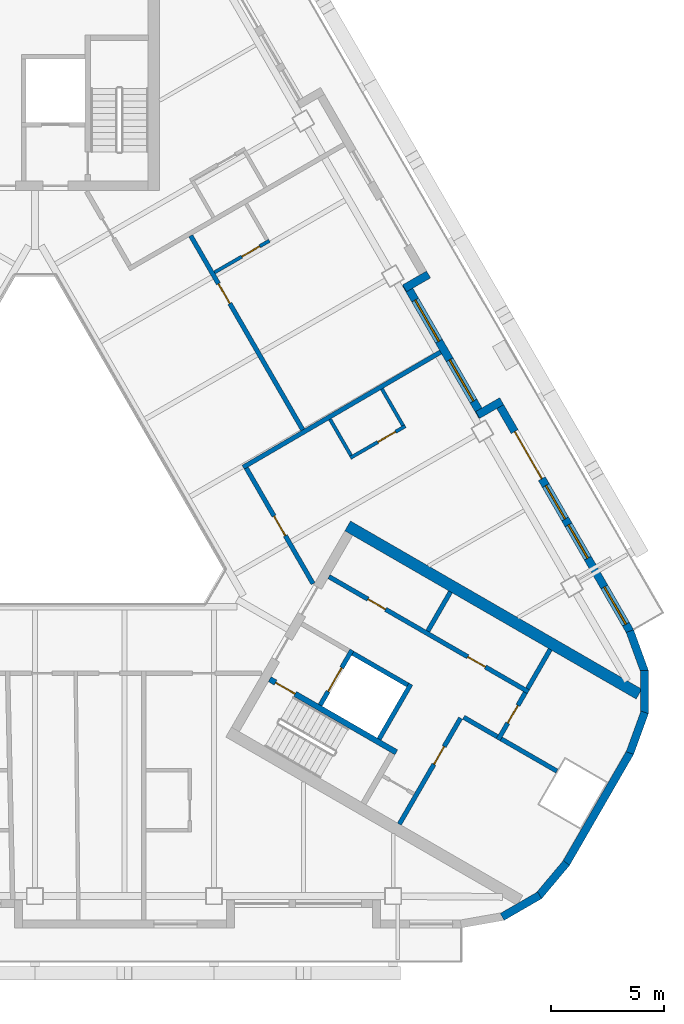
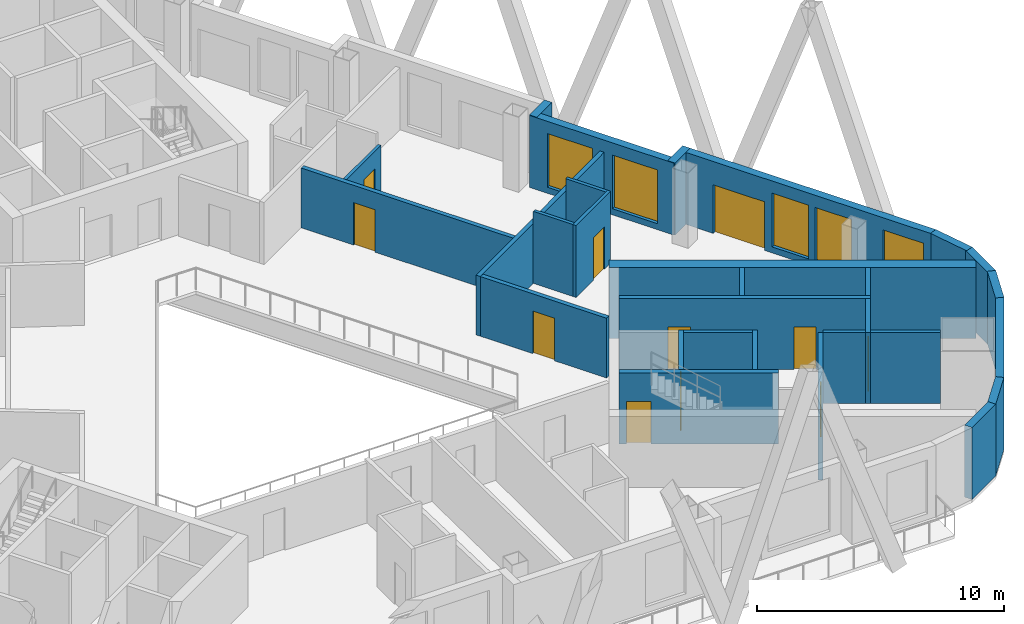
# One storey, part 5 of 13: 29 walls, 11 doors, 5 windows, 16 openings.
"""IFC4 building model written with IfcOpenShell, lengths in metres."""

from ifc_helpers import new_model, si_unit, direction, frame, frame_2d, origin, place, context, subcontext, project, spatial, rectangle, extrude, material, layer, layer_set, type_object, element, fill, save


model = new_model("IFC4")

# Units and contexts
model_context = context("Model", 3, precision=1e-05, world=origin(), true_north=direction((0.0, 1.0)))
body_context = subcontext(model_context, "Body", "Model", "MODEL_VIEW")
ifc_project = project(units=[si_unit("LENGTHUNIT", "METRE"), si_unit("AREAUNIT", "SQUARE_METRE"), si_unit("VOLUMEUNIT", "CUBIC_METRE"), si_unit("PLANEANGLEUNIT", "RADIAN"), si_unit("MASSUNIT", "GRAM", prefix="KILO")], contexts=[model_context])

# Site, building, storey
site_placement = place(None, origin())
site = spatial("IfcSite", under=ifc_project, at=site_placement, CompositionType="ELEMENT")
building_placement = place(site_placement, origin())
building = spatial("IfcBuilding", under=site, at=building_placement, Name="Apuvela Tower Hotel", CompositionType="ELEMENT")
storey_placement = place(building_placement, frame((0.0, 0.0, 191.0)))
storey = spatial("IfcBuildingStorey", under=building, at=storey_placement, Name="L46", CompositionType="ELEMENT", Elevation=191.0)

# Wall
ifc_material_1 = material(Name="Concrete C50/60", Category="concrete")
ifc_layer_1 = layer(ifc_material_1, 0.5)
ifc_layer_set_1 = layer_set([ifc_layer_1], Name="COR-WALL-CORE-500")
wall_type_1 = type_object("IfcWallType", Name="COR-WALL-CORE-500", PredefinedType="SHEAR", material=ifc_layer_set_1)
wall_1_placement = place(storey_placement, frame((13.796630859375, -1.9033203125, 0.0), z_axis=(0.0, 0.0, 1.0), x_axis=(0.866025009528, -0.500000682871, 0.0)))
element("IfcWall", 1, at=wall_1_placement, inside=storey, type_object=wall_type_1, Name="Core wall SE", PredefinedType="SHEAR", context=body_context, shape_type="SweptSolid", body=[
    extrude(rectangle(XDim=14.8369140625, YDim=0.5, at=frame_2d((7.41845703125, 0.0))), origin(), (0.0, 0.0, 1.0), 3.5),
])

# Wall, opening, door
ifc_material_2 = material(Name="Blockwork 200 mm plastered", Category="masonry")
ifc_layer_2 = layer(ifc_material_2, 0.199951171875)
ifc_layer_set_2 = layer_set([ifc_layer_2], Name="COR-WALL-PART-200")
wall_type_2 = type_object("IfcWallType", Name="COR-WALL-PART-200", PredefinedType="PARTITIONING", material=ifc_layer_set_2)
wall_2_placement = place(storey_placement, frame((16.076171875, -15.05517578125, 0.0), z_axis=(0.0, 0.0, 1.0), x_axis=(0.499995103361, 0.866028230842, 0.0)))
wall_2 = element("IfcWall", 2, at=wall_2_placement, inside=storey, type_object=wall_type_2, Name="Partition SE", PredefinedType="PARTITIONING", context=body_context, shape_type="SweptSolid", body=[
    extrude(rectangle(XDim=5.39990234375, YDim=0.199951171875, at=frame_2d((2.699951171875, 0.0))), origin(), (0.0, 0.0, 1.0), 3.5),
])
opening_1_placement = place(wall_2_placement, frame((3.050048828125, 0.0, 0.0)))
opening_1 = element("IfcOpeningElement", 3, at=opening_1_placement, cuts=wall_2, Name="Opening E-RS1", PredefinedType="OPENING", context=body_context, shape_type="SweptSolid", body=[
    extrude(rectangle(XDim=0.89990234375, YDim=2.10009765625, at=frame_2d((0.449951171875, 1.050048828125))), frame((0.0, 0.10986328125, 0.0), z_axis=(0.0, -1.0, 0.0), x_axis=(1.0, 0.0, 0.0)), (0.0, 0.0, 1.0), 0.219970703125),
])
ifc_material_3 = material(Name="Steel fire door, powder coated", Category="steel")
door_type_1 = type_object("IfcDoorType", Name="COR-DR-900", OperationType="NOTDEFINED", PredefinedType="DOOR", material=ifc_material_3)
door_1_placement = place(opening_1_placement, frame((0.89990234375, 0.0, 0.0), z_axis=(0.0, 0.0, 1.0), x_axis=(-1.0, 0.0, 0.0)))
door_1 = element("IfcDoor", 4, at=door_1_placement, inside=storey, type_object=door_type_1, Name="Store door E-RS1", OperationType="SINGLE_SWING_LEFT", OverallHeight=2.10009765625, OverallWidth=0.89990234375, PredefinedType="DOOR", context=body_context, shape_type="SweptSolid", body=[
    extrude(rectangle(XDim=0.89990234375, YDim=2.10009765625, at=frame_2d((0.449951171875, 1.050048828125))), frame((0.0, 0.02490234375, 0.0), z_axis=(0.0, -1.0, 0.0), x_axis=(1.0, 0.0, 0.0)), (0.0, 0.0, 1.0), 0.050048828125),
])
fill(opening_1, door_1)

# Wall
ifc_layer_3 = layer(ifc_material_1, 0.199951171875)
ifc_layer_set_3 = layer_set([ifc_layer_3], Name="COR-WALL-SHAFT-200")
wall_type_3 = type_object("IfcWallType", Name="COR-WALL-SHAFT-200", PredefinedType="SHEAR", material=ifc_layer_set_3)
wall_3_placement = place(storey_placement, frame((15.181396484375, -11.305419921875, 0.0), z_axis=(0.0, 0.0, 1.0), x_axis=(0.49994636267, 0.866056369097, 0.0)))
element("IfcWall", 5, at=wall_3_placement, inside=storey, type_object=wall_type_3, Name="Shaft wall SE", PredefinedType="SHEAR", context=body_context, shape_type="SweptSolid", body=[
    extrude(rectangle(XDim=2.800048828125, YDim=0.199951171875, at=frame_2d((1.39990234375, 0.0))), origin(), (0.0, 0.0, 1.0), 3.5),
])

# Wall, opening, door
wall_4_placement = place(storey_placement, frame((12.583251953125, -9.805419921875, 0.0), z_axis=(0.0, 0.0, 1.0), x_axis=(0.49994636267, 0.866056369097, 0.0)))
wall_4 = element("IfcWall", 6, at=wall_4_placement, inside=storey, type_object=wall_type_3, Name="Shaft wall SE", PredefinedType="SHEAR", context=body_context, shape_type="SweptSolid", body=[
    extrude(rectangle(XDim=2.800048828125, YDim=0.199951171875, at=frame_2d((1.39990234375, 0.0))), origin(), (0.0, 0.0, 1.0), 3.5),
])
opening_2_placement = place(wall_4_placement, frame((0.699951171875, 0.0, 0.0)))
opening_2 = element("IfcOpeningElement", 7, at=opening_2_placement, cuts=wall_4, Name="Opening E-LD-FS3", PredefinedType="OPENING", context=body_context, shape_type="SweptSolid", body=[
    extrude(rectangle(XDim=1.199951171875, YDim=2.10009765625, at=frame_2d((0.60009765625, 1.050048828125))), frame((0.0, 0.10986328125, 0.0), z_axis=(0.0, -1.0, 0.0), x_axis=(1.0, 0.0, 0.0)), (0.0, 0.0, 1.0), 0.219970703125),
])
ifc_material_4 = material(Name="Stainless steel lift landing door", Category="steel")
door_type_2 = type_object("IfcDoorType", Name="COR-LD-1200", OperationType="DOUBLE_DOOR_SLIDING", PredefinedType="DOOR", material=ifc_material_4)
door_2_placement = place(opening_2_placement, origin())
door_2 = element("IfcDoor", 8, at=door_2_placement, inside=storey, type_object=door_type_2, Name="Lift landing door E-LD-FS3", OperationType="DOUBLE_DOOR_SLIDING", OverallHeight=2.10009765625, OverallWidth=1.199951171875, PredefinedType="DOOR", context=body_context, shape_type="SweptSolid", body=[
    extrude(rectangle(XDim=1.199951171875, YDim=2.10009765625, at=frame_2d((0.60009765625, 1.050048828125))), frame((0.0, 0.02490234375, 0.0), z_axis=(0.0, -1.0, 0.0), x_axis=(1.0, 0.0, 0.0)), (0.0, 0.0, 1.0), 0.050048828125),
])
fill(opening_2, door_2)

# Wall
wall_5_placement = place(storey_placement, frame((14.019775390625, -7.51708984375, 0.0), z_axis=(0.0, 0.0, 1.0), x_axis=(0.866034573852, -0.49998411664, 0.0)))
element("IfcWall", 9, at=wall_5_placement, inside=storey, type_object=wall_type_3, Name="Shaft wall SE", PredefinedType="SHEAR", context=body_context, shape_type="SweptSolid", body=[
    extrude(rectangle(XDim=2.7998046875, YDim=0.199951171875, at=frame_2d((1.39990234375, 0.0))), origin(), (0.0, 0.0, 1.0), 3.5),
])

# Wall, openings, doors
wall_6_placement = place(storey_placement, frame((12.968017578125, -4.138427734375, 0.0), z_axis=(0.0, 0.0, 1.0), x_axis=(0.866028328073, -0.49999493495, 0.0)))
wall_6 = element("IfcWall", 10, at=wall_6_placement, inside=storey, type_object=wall_type_3, Name="Shaft wall SE", PredefinedType="SHEAR", context=body_context, shape_type="SweptSolid", body=[
    extrude(rectangle(XDim=10.16015625, YDim=0.199951171875, at=frame_2d((5.080078125, 0.0))), origin(), (0.0, 0.0, 1.0), 3.5),
])
opening_3_placement = place(wall_6_placement, frame((1.989990234375, 0.0, 0.0)))
opening_3 = element("IfcOpeningElement", 11, at=opening_3_placement, cuts=wall_6, Name="Opening E-RE1", PredefinedType="OPENING", context=body_context, shape_type="SweptSolid", body=[
    extrude(rectangle(XDim=0.89990234375, YDim=2.10009765625, at=frame_2d((0.449951171875, 1.050048828125))), frame((0.0, 0.10986328125, 0.0), z_axis=(0.0, -1.0, 0.0), x_axis=(1.0, 0.0, 0.0)), (0.0, 0.0, 1.0), 0.219970703125),
])
opening_4_placement = place(wall_6_placement, frame((7.070068359375, 0.0, 0.0)))
opening_4 = element("IfcOpeningElement", 12, at=opening_4_placement, cuts=wall_6, Name="Opening E-RE3", PredefinedType="OPENING", context=body_context, shape_type="SweptSolid", body=[
    extrude(rectangle(XDim=0.89990234375, YDim=2.10009765625, at=frame_2d((0.449951171875, 1.050048828125))), frame((0.0, 0.10986328125, 0.0), z_axis=(0.0, -1.0, 0.0), x_axis=(1.0, 0.0, 0.0)), (0.0, 0.0, 1.0), 0.219970703125),
])
door_3_placement = place(opening_3_placement, origin())
door_3 = element("IfcDoor", 13, at=door_3_placement, inside=storey, type_object=door_type_1, Name="Store door E-RE1", OperationType="SINGLE_SWING_LEFT", OverallHeight=2.10009765625, OverallWidth=0.89990234375, PredefinedType="DOOR", context=body_context, shape_type="SweptSolid", body=[
    extrude(rectangle(XDim=0.89990234375, YDim=2.10009765625, at=frame_2d((0.449951171875, 1.050048828125))), frame((0.0, 0.02490234375, 0.0), z_axis=(0.0, -1.0, 0.0), x_axis=(1.0, 0.0, 0.0)), (0.0, 0.0, 1.0), 0.050048828125),
])
fill(opening_3, door_3)
door_4_placement = place(opening_4_placement, origin())
door_4 = element("IfcDoor", 14, at=door_4_placement, inside=storey, type_object=door_type_1, Name="Store door E-RE3", OperationType="SINGLE_SWING_LEFT", OverallHeight=2.10009765625, OverallWidth=0.89990234375, PredefinedType="DOOR", context=body_context, shape_type="SweptSolid", body=[
    extrude(rectangle(XDim=0.89990234375, YDim=2.10009765625, at=frame_2d((0.449951171875, 1.050048828125))), frame((0.0, 0.02490234375, 0.0), z_axis=(0.0, -1.0, 0.0), x_axis=(1.0, 0.0, 0.0)), (0.0, 0.0, 1.0), 0.050048828125),
])
fill(opening_4, door_4)

# Wall, opening, door
wall_7_placement = place(storey_placement, frame((20.430419921875, -11.33349609375, 0.0), z_axis=(0.0, 0.0, 1.0), x_axis=(0.500001309137, 0.866024647952, 0.0)))
wall_7 = element("IfcWall", 15, at=wall_7_placement, inside=storey, type_object=wall_type_3, Name="Shaft wall SE", PredefinedType="SHEAR", context=body_context, shape_type="SweptSolid", body=[
    extrude(rectangle(XDim=2.39990234375, YDim=0.199951171875, at=frame_2d((1.199951171875, 0.0))), origin(), (0.0, 0.0, 1.0), 3.5),
])
opening_5_placement = place(wall_7_placement, frame((0.85009765625, 0.0, 0.0)))
opening_5 = element("IfcOpeningElement", 16, at=opening_5_placement, cuts=wall_7, Name="Opening E-REP", PredefinedType="OPENING", context=body_context, shape_type="SweptSolid", body=[
    extrude(rectangle(XDim=0.89990234375, YDim=2.10009765625, at=frame_2d((0.449951171875, 1.050048828125))), frame((0.0, 0.10986328125, 0.0), z_axis=(0.0, -1.0, 0.0), x_axis=(1.0, 0.0, 0.0)), (0.0, 0.0, 1.0), 0.219970703125),
])
door_5_placement = place(opening_5_placement, frame((0.89990234375, 0.0, 0.0), z_axis=(0.0, 0.0, 1.0), x_axis=(-1.0, 0.0, 0.0)))
door_5 = element("IfcDoor", 17, at=door_5_placement, inside=storey, type_object=door_type_1, Name="Store door E-REP", OperationType="SINGLE_SWING_RIGHT", OverallHeight=2.10009765625, OverallWidth=0.89990234375, PredefinedType="DOOR", context=body_context, shape_type="SweptSolid", body=[
    extrude(rectangle(XDim=0.89990234375, YDim=2.10009765625, at=frame_2d((0.449951171875, 1.050048828125))), frame((0.0, 0.02490234375, 0.0), z_axis=(0.0, -1.0, 0.0), x_axis=(1.0, 0.0, 0.0)), (0.0, 0.0, 1.0), 0.050048828125),
])
fill(opening_5, door_5)

# Walls
wall_8_placement = place(storey_placement, frame((18.912841796875, -10.342041015625, 0.0), z_axis=(0.0, 0.0, 1.0), x_axis=(0.866038183914, -0.499977863513, 0.0)))
element("IfcWall", 18, at=wall_8_placement, inside=storey, type_object=wall_type_3, Name="Shaft wall SE", PredefinedType="SHEAR", context=body_context, shape_type="SweptSolid", body=[
    extrude(rectangle(XDim=1.7099609375, YDim=0.199951171875, at=frame_2d((0.85498046875, 0.0))), origin(), (0.0, 0.0, 1.0), 3.5),
])
for number, where, z_axis, x_axis, name in (
    (19, (17.330810546875, -6.5419921875, 0.0), (0.0, 0.0, 1.0), (0.499972520799, 0.866041268327, 0.0), "Shaft wall SE"),
    (20, (21.73046875, -9.081787109375, 0.0), (0.0, 0.0, 1.0), (0.50002537861, 0.866010750942, 0.0), "Shaft wall SE"),
):
    element("IfcWall", number, at=place(storey_placement, frame(where, z_axis=z_axis, x_axis=x_axis)), inside=storey, type_object=wall_type_3, Name=name, PredefinedType="SHEAR", context=body_context, shape_type="SweptSolid", body=[
        extrude(rectangle(XDim=2.0, YDim=0.199951171875, at=frame_2d((1.0, 0.0))), origin(), (0.0, 0.0, 1.0), 3.5),
    ])
wall_9_placement = place(storey_placement, frame((20.56689453125, -11.297119140625, 0.0), z_axis=(0.0, 0.0, 1.0), x_axis=(0.866055327414, -0.49994816717, 0.0)))
element("IfcWall", 21, at=wall_9_placement, inside=storey, type_object=wall_type_3, Name="Shaft wall SE", PredefinedType="SHEAR", context=body_context, shape_type="SweptSolid", body=[
    extrude(rectangle(XDim=2.840087890625, YDim=0.199951171875, at=frame_2d((1.419921875, 0.0))), origin(), (0.0, 0.0, 1.0), 3.5),
])

# Wall, opening, door
ifc_layer_4 = layer(ifc_material_1, 0.25)
ifc_layer_set_4 = layer_set([ifc_layer_4], Name="COR-WALL-STAIR-250")
wall_type_4 = type_object("IfcWallType", Name="COR-WALL-STAIR-250", PredefinedType="SHEAR", material=ifc_layer_set_4)
wall_10_placement = place(storey_placement, frame((10.355712890625, -8.66357421875, 0.0), z_axis=(0.0, 0.0, 1.0), x_axis=(0.866028629588, -0.499994412703, 0.0)))
wall_10 = element("IfcWall", 22, at=wall_10_placement, inside=storey, type_object=wall_type_4, Name="Stair wall SE", PredefinedType="SHEAR", context=body_context, shape_type="SweptSolid", body=[
    extrude(rectangle(XDim=6.44970703125, YDim=0.25, at=frame_2d((3.224853515625, 0.0))), origin(), (0.0, 0.0, 1.0), 3.5),
])
opening_6_placement = place(wall_10_placement, frame((0.300048828125, 0.0, 0.0)))
opening_6 = element("IfcOpeningElement", 23, at=opening_6_placement, cuts=wall_10, Name="Opening E-SD", PredefinedType="OPENING", context=body_context, shape_type="SweptSolid", body=[
    extrude(rectangle(XDim=1.0, YDim=2.10009765625, at=frame_2d((0.5, 1.050048828125))), frame((0.0, 0.135009765625, 0.0), z_axis=(0.0, -1.0, 0.0), x_axis=(1.0, 0.0, 0.0)), (0.0, 0.0, 1.0), 0.27001953125),
])
door_type_3 = type_object("IfcDoorType", Name="COR-SD-1000", OperationType="NOTDEFINED", PredefinedType="DOOR", material=ifc_material_3)
door_6_placement = place(opening_6_placement, frame((1.0, 0.0, 0.0), z_axis=(0.0, 0.0, 1.0), x_axis=(-1.0, 0.0, 0.0)))
door_6 = element("IfcDoor", 24, at=door_6_placement, inside=storey, type_object=door_type_3, Name="Stair door E-SD", OperationType="SINGLE_SWING_LEFT", OverallHeight=2.10009765625, OverallWidth=1.0, PredefinedType="DOOR", context=body_context, shape_type="SweptSolid", body=[
    extrude(rectangle(XDim=1.0, YDim=2.10009765625, at=frame_2d((0.5, 1.050048828125))), frame((0.0, 0.02490234375, 0.0), z_axis=(0.0, -1.0, 0.0), x_axis=(1.0, 0.0, 0.0)), (0.0, 0.0, 1.0), 0.050048828125),
])
fill(opening_6, door_6)

# Walls
ifc_material_5 = material(Name="Concrete C40/50, dark pigmented precast panel", Category="concrete")
ifc_layer_5 = layer(ifc_material_5, 0.35009765625)
ifc_layer_set_5 = layer_set([ifc_layer_5], Name="ENV-WALL-350")
wall_type_5 = type_object("IfcWallType", Name="ENV-WALL-350", PredefinedType="SOLIDWALL", material=ifc_layer_set_5)
for number, where, z_axis, x_axis, name in (
    (25, (20.609619140625, -19.146728515625, 0.0), (0.0, 0.0, 1.0), (0.866000389056, 0.500043324278, 0.0), "External wall L46-27"),
    (26, (22.21728515625, -18.230712890625, 0.0), (0.0, 0.0, 1.0), (0.642733291068, 0.76609001857, 0.0), "External wall L46-28"),
):
    element("IfcWall", number, at=place(storey_placement, frame(where, z_axis=z_axis, x_axis=x_axis)), inside=storey, type_object=wall_type_5, Name=name, PredefinedType="SOLIDWALL", context=body_context, shape_type="SweptSolid", body=[
        extrude(rectangle(XDim=1.909912109375, YDim=0.35009765625, at=frame_2d((0.955078125, 0.0))), origin(), (0.0, 0.0, 1.0), 3.550048828125),
    ])
wall_11_placement = place(storey_placement, frame((23.427490234375, -16.79248046875, 0.0), z_axis=(0.0, 0.0, 1.0), x_axis=(0.500018773155, 0.866014564827, 0.0)))
element("IfcWall", 27, at=wall_11_placement, inside=storey, type_object=wall_type_5, Name="External wall L46-29", PredefinedType="SOLIDWALL", context=body_context, shape_type="SweptSolid", body=[
    extrude(rectangle(XDim=5.657958984375, YDim=0.35009765625, at=frame_2d((2.8291015625, 0.0))), origin(), (0.0, 0.0, 1.0), 3.550048828125),
])
for number, where, z_axis, x_axis, name in (
    (28, (26.24365234375, -11.920166015625, 0.0), (0.0, 0.0, 1.0), (0.342030395486, 0.939688889242, 0.0), "External wall L46-30"),
    (29, (26.88623046875, -10.18505859375, 0.0), (0.0, 0.0, 1.0), (0.0, 1.0, 0.0), "External wall L46-31"),
    (30, (26.89697265625, -8.334716796875, 0.0), (0.0, 0.0, 1.0), (-0.342030395486, 0.939688889242, 0.0), "External wall L46-32"),
):
    element("IfcWall", number, at=place(storey_placement, frame(where, z_axis=z_axis, x_axis=x_axis)), inside=storey, type_object=wall_type_5, Name=name, PredefinedType="SOLIDWALL", context=body_context, shape_type="SweptSolid", body=[
        extrude(rectangle(XDim=1.91015625, YDim=0.35009765625, at=frame_2d((0.955078125, 0.0))), origin(), (0.0, 0.0, 1.0), 3.550048828125),
    ])

# Wall, openings, door, windows
wall_12_placement = place(storey_placement, frame((26.256591796875, -6.5673828125, 0.0), z_axis=(0.0, 0.0, 1.0), x_axis=(-0.500023526245, 0.866011820475, 0.0)))
wall_12 = element("IfcWall", 31, at=wall_12_placement, inside=storey, type_object=wall_type_5, Name="External wall L46-33", PredefinedType="SOLIDWALL", context=body_context, shape_type="SweptSolid", body=[
    extrude(rectangle(XDim=11.81591796875, YDim=0.35009765625, at=frame_2d((5.907958984375, 0.0))), origin(), (0.0, 0.0, 1.0), 3.550048828125),
])
opening_7_placement = place(wall_12_placement, frame((0.380126953125, 0.0, 0.300048828125)))
opening_7 = element("IfcOpeningElement", 32, at=opening_7_placement, cuts=wall_12, Name="Opening WN19", PredefinedType="OPENING", context=body_context, shape_type="SweptSolid", body=[
    extrude(rectangle(XDim=1.89990234375, YDim=2.64990234375, at=frame_2d((0.949951171875, 1.324951171875))), frame((0.0, 0.18505859375, 0.0), z_axis=(0.0, -1.0, 0.0), x_axis=(1.0, 0.0, 0.0)), (0.0, 0.0, 1.0), 0.3701171875),
])
opening_8_placement = place(wall_12_placement, frame((7.791015625, 0.0, 0.0)))
opening_8 = element("IfcOpeningElement", 33, at=opening_8_placement, cuts=wall_12, Name="Opening BD24", PredefinedType="OPENING", context=body_context, shape_type="SweptSolid", body=[
    extrude(rectangle(XDim=2.39990234375, YDim=2.39990234375, at=frame_2d((1.199951171875, 1.199951171875))), frame((0.0, 0.18505859375, 0.0), z_axis=(0.0, -1.0, 0.0), x_axis=(1.0, 0.0, 0.0)), (0.0, 0.0, 1.0), 0.3701171875),
])
opening_9_placement = place(wall_12_placement, frame((3.74072265625, 0.0, 0.300048828125)))
opening_9 = element("IfcOpeningElement", 34, at=opening_9_placement, cuts=wall_12, Name="Opening WN17", PredefinedType="OPENING", context=body_context, shape_type="SweptSolid", body=[
    extrude(rectangle(XDim=1.699951171875, YDim=2.64990234375, at=frame_2d((0.85009765625, 1.324951171875))), frame((0.0, 0.18505859375, 0.0), z_axis=(0.0, -1.0, 0.0), x_axis=(1.0, 0.0, 0.0)), (0.0, 0.0, 1.0), 0.3701171875),
])
opening_10_placement = place(wall_12_placement, frame((5.74072265625, 0.0, 0.300048828125)))
opening_10 = element("IfcOpeningElement", 35, at=opening_10_placement, cuts=wall_12, Name="Opening WN17", PredefinedType="OPENING", context=body_context, shape_type="SweptSolid", body=[
    extrude(rectangle(XDim=1.699951171875, YDim=2.64990234375, at=frame_2d((0.85009765625, 1.324951171875))), frame((0.0, 0.18505859375, 0.0), z_axis=(0.0, -1.0, 0.0), x_axis=(1.0, 0.0, 0.0)), (0.0, 0.0, 1.0), 0.3701171875),
])
ifc_material_6 = material(Name="Aluminium 6063-T6, dark bronze anodised frame with dark tinted laminated glass", Category="aluminium")
door_type_4 = type_object("IfcDoorType", Name="ENV-DOOR-BALCONY-2400x2400", OperationType="SLIDING_TO_LEFT", PredefinedType="DOOR", material=ifc_material_6)
door_7_placement = place(opening_8_placement, frame((2.39990234375, 0.0, 0.0), z_axis=(0.0, 0.0, 1.0), x_axis=(-1.0, 0.0, 0.0)))
door_7 = element("IfcDoor", 36, at=door_7_placement, inside=storey, type_object=door_type_4, Name="Balcony door BD24", OperationType="SLIDING_TO_LEFT", OverallHeight=2.39990234375, OverallWidth=2.39990234375, PredefinedType="DOOR", context=body_context, shape_type="SweptSolid", body=[
    extrude(rectangle(XDim=2.39990234375, YDim=2.39990234375, at=frame_2d((1.199951171875, 1.199951171875))), frame((0.0, 0.02490234375, 0.0), z_axis=(0.0, -1.0, 0.0), x_axis=(1.0, 0.0, 0.0)), (0.0, 0.0, 1.0), 0.050048828125),
])
fill(opening_8, door_7)
ifc_material_7 = material(Name="Glass, dark tinted laminated insulated glazing unit", Category="glass")
window_type_1 = type_object("IfcWindowType", Name="ENV-WIN-1700x2650", PartitioningType="SINGLE_PANEL", PredefinedType="WINDOW", material=ifc_material_7)
window_1_placement = place(opening_9_placement, origin())
window_1 = element("IfcWindow", 37, at=window_1_placement, inside=storey, type_object=window_type_1, Name="Window WN17", OverallHeight=2.64990234375, OverallWidth=1.699951171875, PartitioningType="SINGLE_PANEL", PredefinedType="WINDOW", context=body_context, shape_type="SweptSolid", body=[
    extrude(rectangle(XDim=1.699951171875, YDim=2.64990234375, at=frame_2d((0.85009765625, 1.324951171875))), frame((0.0, 0.030029296875, 0.0), z_axis=(0.0, -1.0, 0.0), x_axis=(1.0, 0.0, 0.0)), (0.0, 0.0, 1.0), 0.06005859375),
])
fill(opening_9, window_1)
window_2_placement = place(opening_10_placement, origin())
window_2 = element("IfcWindow", 38, at=window_2_placement, inside=storey, type_object=window_type_1, Name="Window WN17", OverallHeight=2.64990234375, OverallWidth=1.699951171875, PartitioningType="SINGLE_PANEL", PredefinedType="WINDOW", context=body_context, shape_type="SweptSolid", body=[
    extrude(rectangle(XDim=1.699951171875, YDim=2.64990234375, at=frame_2d((0.85009765625, 1.324951171875))), frame((0.0, 0.030029296875, 0.0), z_axis=(0.0, -1.0, 0.0), x_axis=(1.0, 0.0, 0.0)), (0.0, 0.0, 1.0), 0.06005859375),
])
fill(opening_10, window_2)
window_type_2 = type_object("IfcWindowType", Name="ENV-WIN-1900x2650", PartitioningType="SINGLE_PANEL", PredefinedType="WINDOW", material=ifc_material_7)
window_3_placement = place(opening_7_placement, origin())
window_3 = element("IfcWindow", 39, at=window_3_placement, inside=storey, type_object=window_type_2, Name="Window WN19", OverallHeight=2.64990234375, OverallWidth=1.89990234375, PartitioningType="SINGLE_PANEL", PredefinedType="WINDOW", context=body_context, shape_type="SweptSolid", body=[
    extrude(rectangle(XDim=1.89990234375, YDim=2.64990234375, at=frame_2d((0.949951171875, 1.324951171875))), frame((0.0, 0.030029296875, 0.0), z_axis=(0.0, -1.0, 0.0), x_axis=(1.0, 0.0, 0.0)), (0.0, 0.0, 1.0), 0.06005859375),
])
fill(opening_7, window_3)

# Wall
wall_13_placement = place(storey_placement, frame((20.587646484375, 3.601318359375, 0.0), z_axis=(0.0, 0.0, 1.0), x_axis=(-0.866005645448, -0.500034220881, 0.0)))
element("IfcWall", 40, at=wall_13_placement, inside=storey, type_object=wall_type_5, Name="External wall L46-34", PredefinedType="SOLIDWALL", context=body_context, shape_type="SweptSolid", body=[
    extrude(rectangle(XDim=1.22021484375, YDim=0.35009765625, at=frame_2d((0.610107421875, 0.0))), origin(), (0.0, 0.0, 1.0), 3.550048828125),
])

# Wall, openings, windows
wall_14_placement = place(storey_placement, frame((19.72900390625, 2.93798828125, 0.0), z_axis=(0.0, 0.0, 1.0), x_axis=(-0.499976430342, 0.866039011305, 0.0)))
wall_14 = element("IfcWall", 41, at=wall_14_placement, inside=storey, type_object=wall_type_5, Name="External wall L46-35", PredefinedType="SOLIDWALL", context=body_context, shape_type="SweptSolid", body=[
    extrude(rectangle(XDim=6.739990234375, YDim=0.35009765625, at=frame_2d((3.3701171875, 0.0))), origin(), (0.0, 0.0, 1.0), 3.550048828125),
])
opening_11_placement = place(wall_14_placement, frame((0.77001953125, 0.0, 0.300048828125)))
opening_11 = element("IfcOpeningElement", 42, at=opening_11_placement, cuts=wall_14, Name="Opening WN21", PredefinedType="OPENING", context=body_context, shape_type="SweptSolid", body=[
    extrude(rectangle(XDim=2.10009765625, YDim=2.64990234375, at=frame_2d((1.050048828125, 1.324951171875))), frame((0.0, 0.18505859375, 0.0), z_axis=(0.0, -1.0, 0.0), x_axis=(1.0, 0.0, 0.0)), (0.0, 0.0, 1.0), 0.3701171875),
])
opening_12_placement = place(wall_14_placement, frame((3.815185546875, 0.0, 0.300048828125)))
opening_12 = element("IfcOpeningElement", 43, at=opening_12_placement, cuts=wall_14, Name="Opening WN21", PredefinedType="OPENING", context=body_context, shape_type="SweptSolid", body=[
    extrude(rectangle(XDim=2.10009765625, YDim=2.64990234375, at=frame_2d((1.050048828125, 1.324951171875))), frame((0.0, 0.18505859375, 0.0), z_axis=(0.0, -1.0, 0.0), x_axis=(1.0, 0.0, 0.0)), (0.0, 0.0, 1.0), 0.3701171875),
])
window_type_3 = type_object("IfcWindowType", Name="ENV-WIN-2100x2650", PartitioningType="SINGLE_PANEL", PredefinedType="WINDOW", material=ifc_material_7)
window_4_placement = place(opening_11_placement, origin())
window_4 = element("IfcWindow", 44, at=window_4_placement, inside=storey, type_object=window_type_3, Name="Window WN21", OverallHeight=2.64990234375, OverallWidth=2.10009765625, PartitioningType="SINGLE_PANEL", PredefinedType="WINDOW", context=body_context, shape_type="SweptSolid", body=[
    extrude(rectangle(XDim=2.10009765625, YDim=2.64990234375, at=frame_2d((1.050048828125, 1.324951171875))), frame((0.0, 0.030029296875, 0.0), z_axis=(0.0, -1.0, 0.0), x_axis=(1.0, 0.0, 0.0)), (0.0, 0.0, 1.0), 0.06005859375),
])
fill(opening_11, window_4)
window_5_placement = place(opening_12_placement, origin())
window_5 = element("IfcWindow", 45, at=window_5_placement, inside=storey, type_object=window_type_3, Name="Window WN21", OverallHeight=2.64990234375, OverallWidth=2.10009765625, PartitioningType="SINGLE_PANEL", PredefinedType="WINDOW", context=body_context, shape_type="SweptSolid", body=[
    extrude(rectangle(XDim=2.10009765625, YDim=2.64990234375, at=frame_2d((1.050048828125, 1.324951171875))), frame((0.0, 0.030029296875, 0.0), z_axis=(0.0, -1.0, 0.0), x_axis=(1.0, 0.0, 0.0)), (0.0, 0.0, 1.0), 0.06005859375),
])
fill(opening_12, window_5)

# Walls
wall_15_placement = place(storey_placement, frame((16.305908203125, 8.5771484375, 0.0), z_axis=(0.0, 0.0, 1.0), x_axis=(0.866092288191, 0.499884134912, 0.0)))
element("IfcWall", 46, at=wall_15_placement, inside=storey, type_object=wall_type_5, Name="External wall L46-36", PredefinedType="SOLIDWALL", context=body_context, shape_type="SweptSolid", body=[
    extrude(rectangle(XDim=1.219970703125, YDim=0.35009765625, at=frame_2d((0.60986328125, 0.0))), origin(), (0.0, 0.0, 1.0), 3.550048828125),
])
ifc_material_8 = material(Name="Gypsum board partition on twin steel stud", Category="steel")
ifc_layer_6 = layer(ifc_material_8, 0.199951171875)
ifc_layer_set_6 = layer_set([ifc_layer_6], Name="GST-PW1")
wall_type_6 = type_object("IfcWallType", Name="GST-PW1", PredefinedType="PARTITIONING", material=ifc_layer_set_6)
wall_16_placement = place(storey_placement, frame((17.894775390625, 5.765625, 0.0), z_axis=(0.0, 0.0, 1.0), x_axis=(-0.863697195261, -0.504011066246, 0.0)))
element("IfcWall", 47, at=wall_16_placement, inside=storey, type_object=wall_type_6, Name="L46 partition 03", PredefinedType="PARTITIONING", context=body_context, shape_type="SweptSolid", body=[
    extrude(rectangle(XDim=10.080322265625, YDim=0.199951171875, at=frame_2d((5.0400390625, 0.0))), origin(), (0.0, 0.0, 1.0), 2.949951171875),
])

# Wall, opening, door
ifc_material_9 = material(Name="Gypsum board corridor wall on twin steel stud, acoustic", Category="steel")
ifc_layer_7 = layer(ifc_material_9, 0.199951171875)
ifc_layer_set_7 = layer_set([ifc_layer_7], Name="GST-PW2")
wall_type_7 = type_object("IfcWallType", Name="GST-PW2", PredefinedType="PARTITIONING", material=ifc_layer_set_7)
wall_17_placement = place(storey_placement, frame((9.32470703125, 0.64892578125, 0.0), z_axis=(0.0, 0.0, 1.0), x_axis=(0.500032331163, -0.866006736574, 0.0)))
wall_17 = element("IfcWall", 48, at=wall_17_placement, inside=storey, type_object=wall_type_7, Name="L46 partition 18", PredefinedType="PARTITIONING", context=body_context, shape_type="SweptSolid", body=[
    extrude(rectangle(XDim=5.8876953125, YDim=0.199951171875, at=frame_2d((2.94384765625, 0.0))), origin(), (0.0, 0.0, 1.0), 2.949951171875),
])
opening_13_placement = place(wall_17_placement, frame((2.44384765625, 0.0, 0.0)))
opening_13 = element("IfcOpeningElement", 49, at=opening_13_placement, cuts=wall_17, Name="Opening GD18-08", PredefinedType="OPENING", context=body_context, shape_type="SweptSolid", body=[
    extrude(rectangle(XDim=1.0, YDim=2.10009765625, at=frame_2d((0.5, 1.050048828125))), frame((0.0, 0.10986328125, 0.0), z_axis=(0.0, -1.0, 0.0), x_axis=(1.0, 0.0, 0.0)), (0.0, 0.0, 1.0), 0.219970703125),
])
ifc_material_10 = material(Name="Timber door leaf in steel frame", Category="steel")
door_type_5 = type_object("IfcDoorType", Name="GST-D1", OperationType="NOTDEFINED", PredefinedType="DOOR", material=ifc_material_10)
door_8_placement = place(opening_13_placement, origin())
door_8 = element("IfcDoor", 50, at=door_8_placement, inside=storey, type_object=door_type_5, Name="Door L46-08", OperationType="SINGLE_SWING_LEFT", OverallHeight=2.10009765625, OverallWidth=1.0, PredefinedType="DOOR", context=body_context, shape_type="SweptSolid", body=[
    extrude(rectangle(XDim=1.0, YDim=2.10009765625, at=frame_2d((0.5, 1.050048828125))), frame((0.0, 0.02490234375, 0.0), z_axis=(0.0, -1.0, 0.0), x_axis=(1.0, 0.0, 0.0)), (0.0, 0.0, 1.0), 0.050048828125),
])
fill(opening_13, door_8)

wall_18_placement = place(storey_placement, frame((6.872802734375, 10.896240234375, 0.0), z_axis=(0.0, 0.0, 1.0), x_axis=(0.499987518031, -0.866032610133, 0.0)))
wall_18 = element("IfcWall", 51, at=wall_18_placement, inside=storey, type_object=wall_type_7, Name="L46 partition 22", PredefinedType="PARTITIONING", context=body_context, shape_type="SweptSolid", body=[
    extrude(rectangle(XDim=9.886474609375, YDim=0.199951171875, at=frame_2d((4.943359375, 0.0))), origin(), (0.0, 0.0, 1.0), 2.949951171875),
])
opening_14_placement = place(wall_18_placement, frame((2.449951171875, 0.0, 0.0)))
opening_14 = element("IfcOpeningElement", 52, at=opening_14_placement, cuts=wall_18, Name="Opening GD18-10", PredefinedType="OPENING", context=body_context, shape_type="SweptSolid", body=[
    extrude(rectangle(XDim=1.0, YDim=2.10009765625, at=frame_2d((0.5, 1.050048828125))), frame((0.0, 0.10986328125, 0.0), z_axis=(0.0, -1.0, 0.0), x_axis=(1.0, 0.0, 0.0)), (0.0, 0.0, 1.0), 0.219970703125),
])
door_9_placement = place(opening_14_placement, origin())
door_9 = element("IfcDoor", 53, at=door_9_placement, inside=storey, type_object=door_type_5, Name="Door L46-10", OperationType="SINGLE_SWING_RIGHT", OverallHeight=2.10009765625, OverallWidth=1.0, PredefinedType="DOOR", context=body_context, shape_type="SweptSolid", body=[
    extrude(rectangle(XDim=1.0, YDim=2.10009765625, at=frame_2d((0.5, 1.050048828125))), frame((0.0, 0.02490234375, 0.0), z_axis=(0.0, -1.0, 0.0), x_axis=(1.0, 0.0, 0.0)), (0.0, 0.0, 1.0), 0.050048828125),
])
fill(opening_14, door_9)

ifc_material_11 = material(Name="Moisture-resistant gypsum board wet wall on steel stud", Category="steel")
ifc_layer_8 = layer(ifc_material_11, 0.14990234375)
ifc_layer_set_8 = layer_set([ifc_layer_8], Name="GST-PW3")
wall_type_8 = type_object("IfcWallType", Name="GST-PW3", PredefinedType="PARTITIONING", material=ifc_layer_set_8)
wall_19_placement = place(storey_placement, frame((13.914794921875, 1.0986328125, 0.0), z_axis=(0.0, 0.0, 1.0), x_axis=(0.866018616679, 0.500011755427, 0.0)))
wall_19 = element("IfcWall", 54, at=wall_19_placement, inside=storey, type_object=wall_type_8, Name="L46 partition 19", PredefinedType="PARTITIONING", context=body_context, shape_type="SweptSolid", body=[
    extrude(rectangle(XDim=2.80029296875, YDim=0.14990234375, at=frame_2d((1.400146484375, 0.0))), origin(), (0.0, 0.0, 1.0), 3.550048828125),
])
opening_15_placement = place(wall_19_placement, frame((1.39990234375, 0.0, 0.0)))
opening_15 = element("IfcOpeningElement", 55, at=opening_15_placement, cuts=wall_19, Name="Opening GD18-07", PredefinedType="OPENING", context=body_context, shape_type="SweptSolid", body=[
    extrude(rectangle(XDim=0.89990234375, YDim=2.10009765625, at=frame_2d((0.449951171875, 1.050048828125))), frame((0.0, 0.0849609375, 0.0), z_axis=(0.0, -1.0, 0.0), x_axis=(1.0, 0.0, 0.0)), (0.0, 0.0, 1.0), 0.169921875),
])
door_type_6 = type_object("IfcDoorType", Name="GST-D2", OperationType="NOTDEFINED", PredefinedType="DOOR", material=ifc_material_10)
door_10_placement = place(opening_15_placement, origin())
door_10 = element("IfcDoor", 56, at=door_10_placement, inside=storey, type_object=door_type_6, Name="Door L46-07", OperationType="SINGLE_SWING_RIGHT", OverallHeight=2.10009765625, OverallWidth=0.89990234375, PredefinedType="DOOR", context=body_context, shape_type="SweptSolid", body=[
    extrude(rectangle(XDim=0.89990234375, YDim=2.10009765625, at=frame_2d((0.449951171875, 1.050048828125))), frame((0.0, 0.02490234375, 0.0), z_axis=(0.0, -1.0, 0.0), x_axis=(1.0, 0.0, 0.0)), (0.0, 0.0, 1.0), 0.050048828125),
])
fill(opening_15, door_10)

# Walls
wall_20_placement = place(storey_placement, frame((16.2373046875, 2.526123046875, 0.0), z_axis=(0.0, 0.0, 1.0), x_axis=(-0.500043919151, 0.866000045566, 0.0)))
element("IfcWall", 57, at=wall_20_placement, inside=storey, type_object=wall_type_8, Name="L46 partition 20", PredefinedType="PARTITIONING", context=body_context, shape_type="SweptSolid", body=[
    extrude(rectangle(XDim=1.862548828125, YDim=0.14990234375, at=frame_2d((0.93115234375, 0.0))), origin(), (0.0, 0.0, 1.0), 3.550048828125),
])
wall_21_placement = place(storey_placement, frame((13.9423828125, 1.201171875, 0.0), z_axis=(0.0, 0.0, 1.0), x_axis=(-0.500026996568, 0.866009816748, 0.0)))
element("IfcWall", 58, at=wall_21_placement, inside=storey, type_object=wall_type_8, Name="L46 partition 21", PredefinedType="PARTITIONING", context=body_context, shape_type="SweptSolid", body=[
    extrude(rectangle(XDim=1.8505859375, YDim=0.14990234375, at=frame_2d((0.92529296875, 0.0))), origin(), (0.0, 0.0, 1.0), 3.550048828125),
])

# Wall, opening, door
wall_22_placement = place(storey_placement, frame((7.921875, 9.279052734375, 0.0), z_axis=(0.0, 0.0, 1.0), x_axis=(0.865996816683, 0.500049511043, 0.0)))
wall_22 = element("IfcWall", 59, at=wall_22_placement, inside=storey, type_object=wall_type_8, Name="L46 partition 23", PredefinedType="PARTITIONING", context=body_context, shape_type="SweptSolid", body=[
    extrude(rectangle(XDim=2.800048828125, YDim=0.14990234375, at=frame_2d((1.39990234375, 0.0))), origin(), (0.0, 0.0, 1.0), 2.949951171875),
])
opening_16_placement = place(wall_22_placement, frame((1.39990234375, 0.0, 0.0)))
opening_16 = element("IfcOpeningElement", 60, at=opening_16_placement, cuts=wall_22, Name="Opening GD18-09", PredefinedType="OPENING", context=body_context, shape_type="SweptSolid", body=[
    extrude(rectangle(XDim=0.89990234375, YDim=2.10009765625, at=frame_2d((0.449951171875, 1.050048828125))), frame((0.0, 0.0849609375, 0.0), z_axis=(0.0, -1.0, 0.0), x_axis=(1.0, 0.0, 0.0)), (0.0, 0.0, 1.0), 0.169921875),
])
door_11_placement = place(opening_16_placement, origin())
door_11 = element("IfcDoor", 61, at=door_11_placement, inside=storey, type_object=door_type_6, Name="Door L46-09", OperationType="SINGLE_SWING_RIGHT", OverallHeight=2.10009765625, OverallWidth=0.89990234375, PredefinedType="DOOR", context=body_context, shape_type="SweptSolid", body=[
    extrude(rectangle(XDim=0.89990234375, YDim=2.10009765625, at=frame_2d((0.449951171875, 1.050048828125))), frame((0.0, 0.02490234375, 0.0), z_axis=(0.0, -1.0, 0.0), x_axis=(1.0, 0.0, 0.0)), (0.0, 0.0, 1.0), 0.050048828125),
])
fill(opening_16, door_11)

save(model, "model.ifc")
